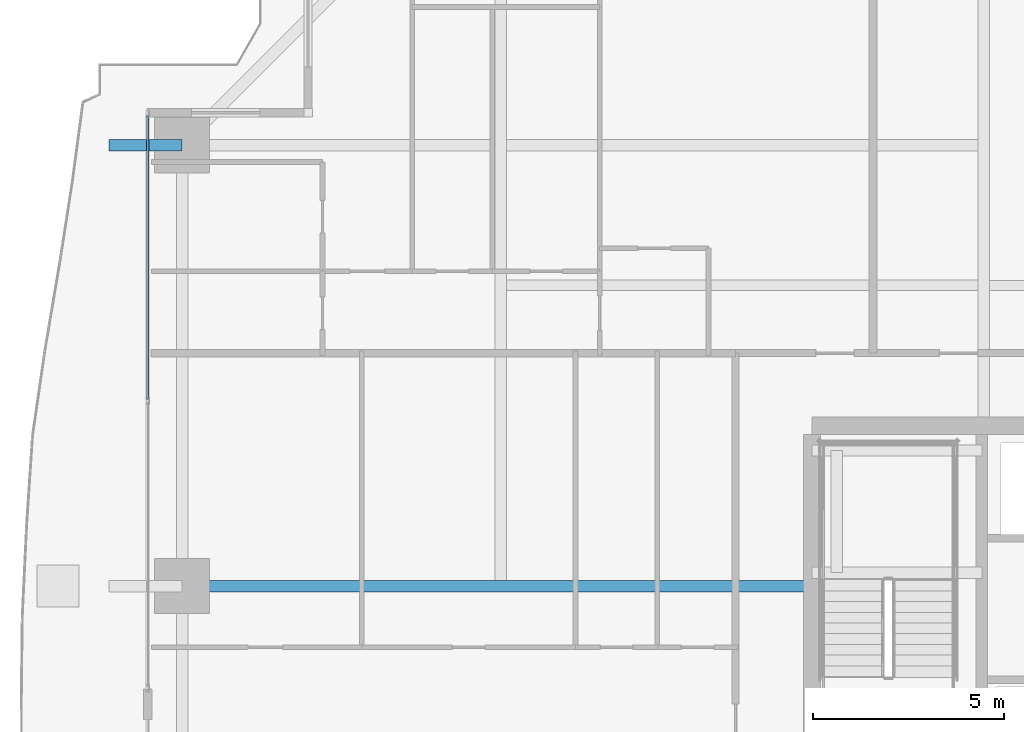
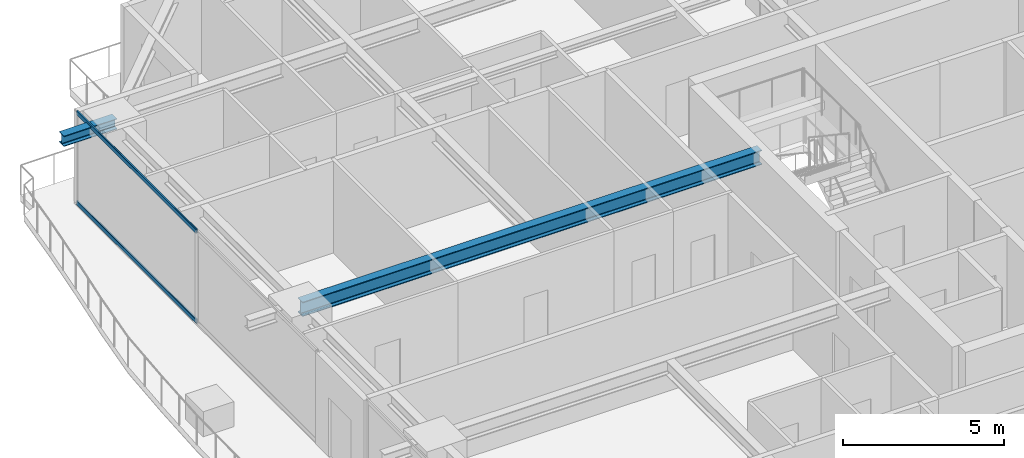
# One storey, part 17 of 41: 2 beams, 2 members, 1 element without a shape of its own.
"""IFC4 building model written with IfcOpenShell, lengths in metres."""

import ifcopenshell
import ifcopenshell.guid

model = None  # the IFC model being written
_history = None  # IfcOwnerHistory: only IFC2X3 demands one
_inside = {}  # id of a spatial element -> (the spatial element, [elements in it])
_under = {}  # id of a project, library or spatial element -> (it, [spatial elements below it])
_declared = {}  # id of a project -> (the project, [libraries it declares])
_typed = {}  # id of a type object -> (the type object, [elements of that type])
_made_of = {}  # id of a material, layer set ... -> (it, [elements and type objects made of it])


def new_model(schema):
    """Start an empty IFC model of exactly this schema.

    Asked for "IFC4X3", IfcOpenShell would pick the latest addendum, in which some entities
    have other attributes; the version numbers below select the first issue.
    IFC2X3 requires an IfcOwnerHistory on every rooted entity: one is made here for all.
    """
    global model, _history
    if schema == "IFC4X3":
        model = ifcopenshell.file(schema_version=(4, 3, 0, 0))
    else:
        model = ifcopenshell.file(schema=schema)
    _inside.clear()
    _under.clear()
    _declared.clear()
    _typed.clear()
    _made_of.clear()
    _history = None
    if model.schema == "IFC2X3":
        org = make("IfcOrganization", Name="unknown")
        user = make(
            "IfcPersonAndOrganization",
            ThePerson=make("IfcPerson", FamilyName="unknown"),
            TheOrganization=org,
        )
        app = make(
            "IfcApplication",
            ApplicationDeveloper=org,
            Version="unknown",
            ApplicationFullName="unknown",
            ApplicationIdentifier="unknown",
        )
        _history = make(
            "IfcOwnerHistory",
            OwningUser=user,
            OwningApplication=app,
            ChangeAction="ADDED",
            CreationDate=0,
        )
    return model


def make(cls, **values):
    """One entity of the class cls with the attributes given. An attribute that is None is left unset."""
    return model.create_entity(
        cls, **{name: value for name, value in values.items() if value is not None}
    )


def rooted(cls, **values):
    """An entity with a GlobalId (a new one), such as an element, a storey or a relation."""
    return make(cls, GlobalId=ifcopenshell.guid.new(), OwnerHistory=_history, **values)


def si_unit(unit_type, name, prefix=None):
    """IfcSIUnit, for example si_unit("LENGTHUNIT", "METRE", prefix="MILLI")."""
    return make("IfcSIUnit", UnitType=unit_type, Prefix=prefix, Name=name)


def assignment(units):
    """IfcUnitAssignment: the units of a project."""
    return None if units is None else make("IfcUnitAssignment", Units=units)


def point(xyz):
    """IfcCartesianPoint."""
    return None if xyz is None else make("IfcCartesianPoint", Coordinates=xyz)


def direction(xyz):
    """IfcDirection."""
    return None if xyz is None else make("IfcDirection", DirectionRatios=xyz)


def frame(location, z_axis=None, x_axis=None):
    """IfcAxis2Placement3D, a coordinate frame: its origin and axes. An axis left out is left unset."""
    return make(
        "IfcAxis2Placement3D",
        Location=point(location),
        Axis=direction(z_axis),
        RefDirection=direction(x_axis),
    )


def frame_2d(location, x_axis=None):
    """IfcAxis2Placement2D, a coordinate frame in the plane: its origin and x axis."""
    return make(
        "IfcAxis2Placement2D", Location=point(location), RefDirection=direction(x_axis)
    )


def origin():
    """The frame at (0, 0, 0) with its axes left unset."""
    return frame((0.0, 0.0, 0.0))


def origin_2d():
    """The frame at (0, 0) in the plane with its x axis left unset."""
    return frame_2d((0.0, 0.0))


def place(relative_to, where):
    """IfcLocalPlacement: puts the frame where relative to a parent placement (None: the world)."""
    return make(
        "IfcLocalPlacement", PlacementRelTo=relative_to, RelativePlacement=where
    )


def context(
    kind, dimensions, precision=None, world=None, true_north=None, identifier=None
):
    """IfcGeometricRepresentationContext, for example the 3D "Model" context."""
    return make(
        "IfcGeometricRepresentationContext",
        ContextIdentifier=identifier,
        ContextType=kind,
        CoordinateSpaceDimension=dimensions,
        Precision=precision,
        WorldCoordinateSystem=world,
        TrueNorth=true_north,
    )


def subcontext(parent, identifier, kind, view, scale=None):
    """IfcGeometricRepresentationSubContext, for example "Body" below "Model"."""
    return make(
        "IfcGeometricRepresentationSubContext",
        ContextIdentifier=identifier,
        ContextType=kind,
        ParentContext=parent,
        TargetScale=scale,
        TargetView=view,
    )


def project(units=None, contexts=None):
    """IfcProject with its units and contexts."""
    return rooted(
        "IfcProject",
        Name="project",
        RepresentationContexts=contexts,
        UnitsInContext=assignment(units),
    )


def spatial(cls, under=None, at=None, **own):
    """A site, building, storey or space (cls), placed at a placement, below another one or the project."""
    s = rooted(cls, ObjectPlacement=at, **own)
    if under is not None:
        _under.setdefault(under.id(), (under, []))[1].append(s)
    return s


def profile(cls, at=None, kind="AREA", **sizes):
    """A parametric profile (cls). Its sizes go by their IFC names, for example OverallWidth=200.0."""
    return make(cls, ProfileType=kind, Position=at, **sizes)


def hollow_rectangle(**sizes):
    """IfcRectangleHollowProfileDef."""
    return profile("IfcRectangleHollowProfileDef", **sizes)


def i_section(**sizes):
    """IfcIShapeProfileDef."""
    return profile("IfcIShapeProfileDef", **sizes)


def extrude(swept, where, along, depth):
    """IfcExtrudedAreaSolid: the profile swept, set in the frame where, extruded along a direction by depth."""
    return make(
        "IfcExtrudedAreaSolid",
        SweptArea=swept,
        Position=where,
        ExtrudedDirection=direction(along),
        Depth=depth,
    )


def shape(context_of_items, identifier, shape_type, items):
    """IfcShapeRepresentation: the items that make up one representation, for example the "Body"."""
    return make(
        "IfcShapeRepresentation",
        ContextOfItems=context_of_items,
        RepresentationIdentifier=identifier,
        RepresentationType=shape_type,
        Items=items,
    )


def source(mapping_origin, context_of_items, identifier, shape_type, items):
    """IfcRepresentationMap: a shape defined once, which mapped items show again and again."""
    return make(
        "IfcRepresentationMap",
        MappingOrigin=mapping_origin,
        MappedRepresentation=shape(context_of_items, identifier, shape_type, items),
    )


def transform(
    local_origin,
    x_axis=None,
    y_axis=None,
    z_axis=None,
    scale=None,
    scale2=None,
    scale3=None,
    uniform=True,
):
    """IfcCartesianTransformationOperator3D, or its non-uniform kind. x_axis, y_axis, z_axis: its Axis1, 2, 3."""
    if uniform:
        return make(
            "IfcCartesianTransformationOperator3D",
            Axis1=direction(x_axis),
            Axis2=direction(y_axis),
            LocalOrigin=point(local_origin),
            Scale=scale,
            Axis3=direction(z_axis),
        )
    return make(
        "IfcCartesianTransformationOperator3DnonUniform",
        Axis1=direction(x_axis),
        Axis2=direction(y_axis),
        LocalOrigin=point(local_origin),
        Scale=scale,
        Axis3=direction(z_axis),
        Scale2=scale2,
        Scale3=scale3,
    )


def mapped(mapping_source, mapping_target):
    """IfcMappedItem: shows the shape of a source again, moved by a transform."""
    return make(
        "IfcMappedItem", MappingSource=mapping_source, MappingTarget=mapping_target
    )


def material(Name=None, Category=None):
    """IfcMaterial."""
    return make("IfcMaterial", Name=Name, Category=Category)


def layer(
    of_material, thickness, ventilated=None, Name=None, Category=None, Priority=None
):
    """IfcMaterialLayer: one layer of a wall or slab, of a material (None: an air gap)."""
    return make(
        "IfcMaterialLayer",
        Material=of_material,
        LayerThickness=thickness,
        IsVentilated=ventilated,
        Name=Name,
        Category=Category,
        Priority=Priority,
    )


def layer_set(layers, Name=None):
    """IfcMaterialLayerSet."""
    return make("IfcMaterialLayerSet", MaterialLayers=layers, LayerSetName=Name)


def material_profile(
    of_material, cross_section, Name=None, Category=None, Priority=None
):
    """IfcMaterialProfile: a cross section and its material."""
    return make(
        "IfcMaterialProfile",
        Name=Name,
        Material=of_material,
        Profile=cross_section,
        Priority=Priority,
        Category=Category,
    )


def profile_set(profiles, Name=None, composite=None):
    """IfcMaterialProfileSet."""
    return make(
        "IfcMaterialProfileSet",
        Name=Name,
        MaterialProfiles=profiles,
        CompositeProfile=composite,
    )


def made_of(thing, what):
    """Note that an element or type object is made of a material, layer set ...; save() writes the relation."""
    if what is not None:
        _made_of.setdefault(what.id(), (what, []))[1].append(thing)
    return thing


def type_object(cls, material=None, **own):
    """A type object (cls), such as IfcWallType, which elements share."""
    return made_of(rooted(cls, **own), material)


def element(
    cls,
    number,
    at=None,
    inside=None,
    cuts=None,
    type_object=None,
    material=None,
    context=None,
    identifier="Body",
    shape_type=None,
    held_by="IfcProductDefinitionShape",
    body=None,
    shapes=None,
    **own,
):
    """One element of the class cls, such as IfcWall. Its Tag is "e" and its number.

    at: its placement. inside: the storey or other place that contains it. cuts: it is an
    opening in that element (IfcRelVoidsElement). A single representation is given by context,
    identifier, shape_type and body (its items); several are given by shapes. held_by: the class
    of the entity that holds the representations. save() writes the other relations.
    """
    e = rooted(cls, Tag="e%d" % number, ObjectPlacement=at, **own)
    if body is not None:
        shapes = [shape(context, identifier, shape_type, body)]
    if shapes is not None:
        e.Representation = make(held_by, Representations=shapes)
    if inside is not None:
        _inside.setdefault(inside.id(), (inside, []))[1].append(e)
    if cuts is not None:
        rooted(
            "IfcRelVoidsElement", RelatingBuildingElement=cuts, RelatedOpeningElement=e
        )
    if type_object is not None:
        _typed.setdefault(type_object.id(), (type_object, []))[1].append(e)
    return made_of(e, material)


def aggregate(whole, parts):
    """IfcRelAggregates: a whole, such as a stair, and the parts it consists of."""
    return rooted("IfcRelAggregates", RelatingObject=whole, RelatedObjects=parts)


def save(model, path):
    """Write the relations noted so far, then the file.

    IfcRelAggregates (storeys below a building ...), IfcRelContainedInSpatialStructure (elements
    in a storey), IfcRelDefinesByType, IfcRelAssociatesMaterial and IfcRelDeclares: one each for
    every whole, place, type object, material and project.
    """
    for whole, parts in _under.values():
        aggregate(whole, parts)
    for where, things in _inside.values():
        rooted(
            "IfcRelContainedInSpatialStructure",
            RelatedElements=things,
            RelatingStructure=where,
        )
    for kind, things in _typed.values():
        rooted("IfcRelDefinesByType", RelatedObjects=things, RelatingType=kind)
    for what, things in _made_of.values():
        rooted("IfcRelAssociatesMaterial", RelatedObjects=things, RelatingMaterial=what)
    for by, libraries in _declared.values():
        rooted("IfcRelDeclares", RelatingContext=by, RelatedDefinitions=libraries)
    model.write(path)


model = new_model("IFC4")

# Units and contexts
model_context = context("Model", 3, precision=1e-05, world=origin(), true_north=direction((0.0, 1.0)))
body_context = subcontext(model_context, "Body", "Model", "MODEL_VIEW")
ifc_project = project(units=[si_unit("LENGTHUNIT", "METRE"), si_unit("AREAUNIT", "SQUARE_METRE"), si_unit("VOLUMEUNIT", "CUBIC_METRE"), si_unit("PLANEANGLEUNIT", "RADIAN"), si_unit("MASSUNIT", "GRAM", prefix="KILO")], contexts=[model_context])

# Site, building, storey
site_placement = place(None, origin())
site = spatial("IfcSite", under=ifc_project, at=site_placement, CompositionType="ELEMENT")
building_placement = place(site_placement, origin())
building = spatial("IfcBuilding", under=site, at=building_placement, Name="Serunith Strait Residences", CompositionType="ELEMENT")
storey_placement = place(building_placement, frame((0.0, 0.0, 45.449951171875)))
storey = spatial("IfcBuildingStorey", under=building, at=storey_placement, Name="L10", CompositionType="ELEMENT", Elevation=45.449951171875)

# Beams
ifc_material_1 = material(Name="Steel S355J2", Category="steel")
ifc_material_profile_1 = material_profile(ifc_material_1, i_section(OverallWidth=0.300048828125, OverallDepth=0.550048828125, WebThickness=0.014892578125, FlangeThickness=0.029052734375, FilletRadius=0.027099609375, at=origin_2d()), Name="HEB 550")
ifc_profile_set_1 = profile_set([ifc_material_profile_1], Name="Steel S355J2")
beam_type_1 = type_object("IfcBeamType", Name="BM-HEB550", PredefinedType="BEAM", material=ifc_profile_set_1)
shared_shape_1 = source(origin(), body_context, "Body", "SweptSolid", [
    extrude(i_section(OverallWidth=0.300048828125, OverallDepth=0.550048828125, WebThickness=0.014892578125, FlangeThickness=0.029052734375, FilletRadius=0.027099609375, at=origin_2d()), origin(), (0.0, 0.0, 1.0), 16.5),
])
beam_1_placement = place(storey_placement, frame((23.39990234375, 29.39990234375, 3.212158203125), z_axis=(-1.0, 0.0, 0.0), x_axis=(0.0, -1.0, 0.0)))
element("IfcBeam", 1, at=beam_1_placement, inside=storey, type_object=beam_type_1, Name="L10 Primary Floor Girder TC-W3", PredefinedType="BEAM", context=body_context, shape_type="MappedRepresentation", body=[
    mapped(shared_shape_1, transform((0.0, 0.0, 0.0), scale=1.0)),
])
ifc_material_profile_2 = material_profile(ifc_material_1, i_section(OverallWidth=0.300048828125, OverallDepth=0.39990234375, WebThickness=0.013427734375, FlangeThickness=0.02392578125, FilletRadius=0.027099609375, at=origin_2d()), Name="HEB 400")
ifc_profile_set_2 = profile_set([ifc_material_profile_2], Name="Steel S355J2")
beam_type_2 = type_object("IfcBeamType", Name="BM-HEB400", PredefinedType="BEAM", material=ifc_profile_set_2)
shared_shape_2 = source(origin(), body_context, "Body", "SweptSolid", [
    extrude(i_section(OverallWidth=0.300048828125, OverallDepth=0.39990234375, WebThickness=0.013427734375, FlangeThickness=0.02392578125, FilletRadius=0.027099609375, at=origin_2d()), origin(), (0.0, 0.0, 1.0), 1.909912109375),
])
beam_2_placement = place(storey_placement, frame((6.89990234375, 40.949951171875, 3.257080078125), z_axis=(-1.0, 0.0, 0.0), x_axis=(0.0, -1.0, 0.0)))
element("IfcBeam", 2, at=beam_2_placement, inside=storey, type_object=beam_type_2, Name="L11 Cantilevered Balcony Rib TC-W4", PredefinedType="BEAM", context=body_context, shape_type="MappedRepresentation", body=[
    mapped(shared_shape_2, transform((0.0, 0.0, 0.0), scale=1.0)),
])

# Curtain wall, members
ifc_material_2 = material(Name="Pale-Champagne Anodised Aluminium", Category="aluminium")
ifc_layer = layer(ifc_material_2, 0.199951171875, Name="Pale-Champagne Anodised Aluminium")
ifc_layer_set = layer_set([ifc_layer], Name="Pale-Champagne Anodised Aluminium")
curtain_wall_type = type_object("IfcCurtainWallType", Name="CW-SYS1", PredefinedType="NOTDEFINED", material=ifc_layer_set)
curtain_wall_placement = place(storey_placement, origin())
curtain_wall = element("IfcCurtainWall", 3, at=curtain_wall_placement, inside=storey, type_object=curtain_wall_type, Name="L10 W Unitised Fritted Curtain Wall", PredefinedType="NOTDEFINED")
ifc_material_profile_3 = material_profile(ifc_material_2, hollow_rectangle(XDim=0.06005859375, YDim=0.159912109375, WallThickness=0.00341796875, InnerFilletRadius=0.00537109375, OuterFilletRadius=0.0087890625, at=origin_2d()), Name="ALU 160x60x3.5")
ifc_profile_set_3 = profile_set([ifc_material_profile_3], Name="Pale-Champagne Anodised Aluminium")
member_type = type_object("IfcMemberType", Name="CW-SYS1-TRAN", PredefinedType="USERDEFINED", material=ifc_profile_set_3)
shared_shape_3 = source(origin(), body_context, "Body", "SweptSolid", [
    extrude(hollow_rectangle(XDim=0.06005859375, YDim=0.159912109375, WallThickness=0.00341796875, InnerFilletRadius=0.00537109375, OuterFilletRadius=0.0087890625, at=origin_2d()), origin(), (0.0, 0.0, 1.0), 7.445068359375),
])
member_1_placement = place(storey_placement, frame((6.0, 41.72998046875, 0.030029296875), z_axis=(0.0, -1.0, 0.0), x_axis=(1.0, 0.0, 0.0)))
member_1 = element("IfcMember", 4, at=member_1_placement, type_object=member_type, Name="CW-1 transom 1.1", ObjectType="TRANSOM", PredefinedType="USERDEFINED", context=body_context, shape_type="MappedRepresentation", body=[
    mapped(shared_shape_3, transform((0.0, 0.0, 0.0), scale=1.0)),
])
member_2_placement = place(storey_placement, frame((6.0, 41.72998046875, 3.445068359375), z_axis=(0.0, -1.0, 0.0), x_axis=(1.0, 0.0, 0.0)))
member_2 = element("IfcMember", 5, at=member_2_placement, type_object=member_type, Name="CW-1 transom 1.2", ObjectType="TRANSOM", PredefinedType="USERDEFINED", context=body_context, shape_type="MappedRepresentation", body=[
    mapped(shared_shape_3, transform((0.0, 0.0, 0.0), scale=1.0)),
])
aggregate(curtain_wall, [member_1, member_2])

save(model, "model.ifc")
